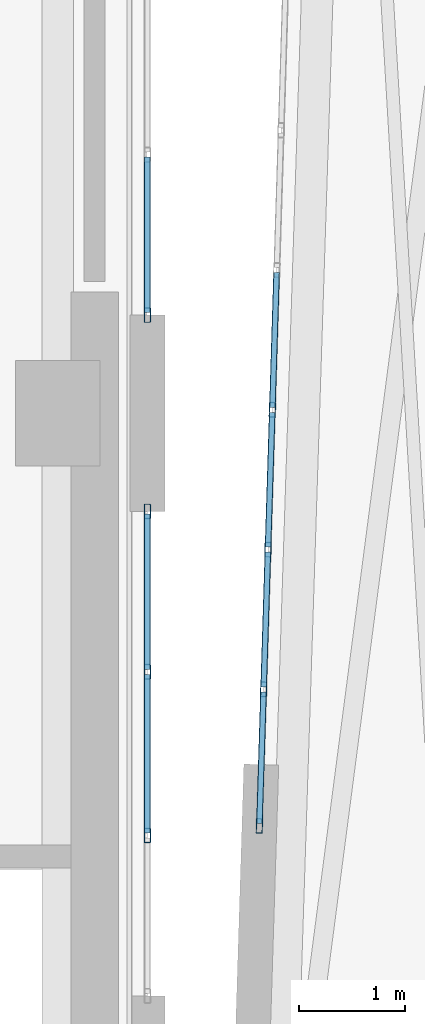
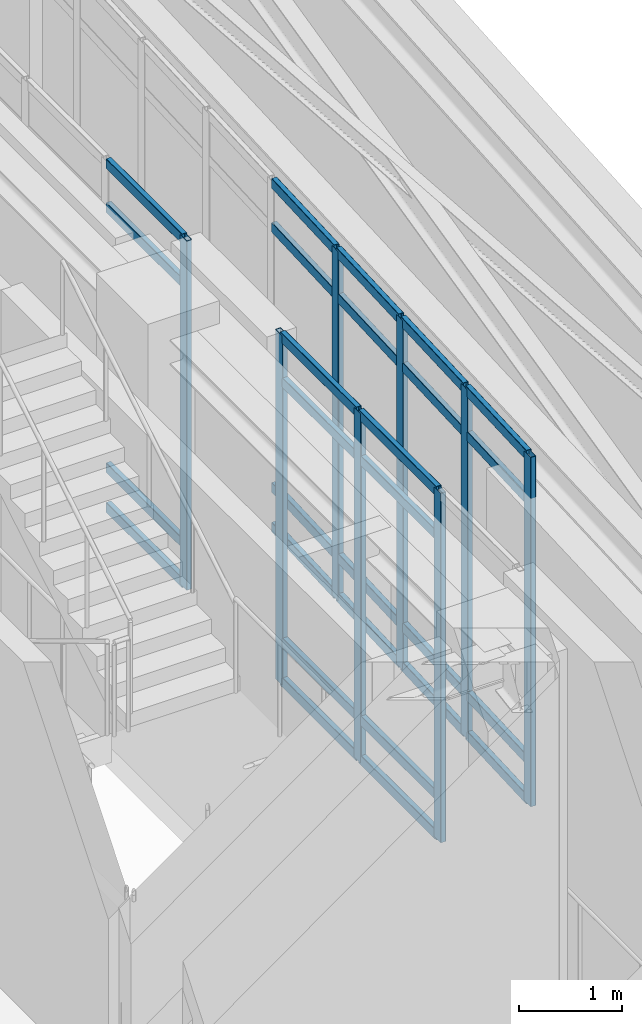
# One storey, part 7 of 19: 36 members, 3 elements without a shape of their own.
"""IFC4 building model written with IfcOpenShell, lengths in metres."""

from ifc_helpers import new_model, si_unit, direction, frame, origin, origin_2d, place, context, subcontext, project, spatial, hollow_rectangle, extrude, material, layer, layer_set, material_profile, profile_set, type_object, element, aggregate, save


model = new_model("IFC4")

# Units and contexts
model_context = context("Model", 3, precision=1e-05, world=origin(), true_north=direction((0.0, 1.0)))
body_context = subcontext(model_context, "Body", "Model", "MODEL_VIEW")
ifc_project = project(units=[si_unit("LENGTHUNIT", "METRE"), si_unit("AREAUNIT", "SQUARE_METRE"), si_unit("VOLUMEUNIT", "CUBIC_METRE"), si_unit("PLANEANGLEUNIT", "RADIAN"), si_unit("MASSUNIT", "GRAM", prefix="KILO")], contexts=[model_context])

# Site, building, storey
site_placement = place(None, origin())
site = spatial("IfcSite", under=ifc_project, at=site_placement, CompositionType="ELEMENT")
building_placement = place(site_placement, origin())
building = spatial("IfcBuilding", under=site, at=building_placement, Name="Ndelora Gate Hotel", CompositionType="ELEMENT")
storey_placement = place(building_placement, frame((0.0, 0.0, 286.0)))
storey = spatial("IfcBuildingStorey", under=building, at=storey_placement, Name="L71", CompositionType="ELEMENT", Elevation=286.0)

# Curtain wall, members
ifc_material_1 = material(Name="Bronze Anodised Unitised Aluminium and Low-E Glass", Category="aluminium")
ifc_layer = layer(ifc_material_1, 0.199951171875)
ifc_layer_set = layer_set([ifc_layer], Name="Bronze Anodised Unitised Aluminium and Low-E Glass")
curtain_wall_type = type_object("IfcCurtainWallType", Name="CW-SYS-8", PredefinedType="NOTDEFINED", material=ifc_layer_set)
curtain_wall_1_placement = place(storey_placement, origin())
curtain_wall_1 = element("IfcCurtainWall", 1, at=curtain_wall_1_placement, inside=storey, type_object=curtain_wall_type, Name="L71 Split-Crown West Cleft Lantern Curtain Wall CW8-1", PredefinedType="NOTDEFINED")
ifc_material_2 = material(Name="Bronze Anodised Aluminium 6063-T6", Category="aluminium")
ifc_material_profile_1 = material_profile(ifc_material_2, hollow_rectangle(XDim=0.06005859375, YDim=0.139892578125, WallThickness=0.00390625, InnerFilletRadius=0.00390625, OuterFilletRadius=0.008056640625, at=origin_2d()), Name="ALU 140x60x4")
ifc_profile_set_1 = profile_set([ifc_material_profile_1], Name="Bronze Anodised Aluminium 6063-T6")
member_type_1 = type_object("IfcMemberType", Name="MB-CW-MUL140", PredefinedType="MULLION", material=ifc_profile_set_1)
member_1_placement = place(storey_placement, frame((8.85009765625, -4.0, -0.00390625), z_axis=(0.0, 0.0, 1.0), x_axis=(-1.0, 0.0, 0.0)))
member_1 = element("IfcMember", 2, at=member_1_placement, type_object=member_type_1, Name="CW8 mullion 2", PredefinedType="MULLION", context=body_context, shape_type="SweptSolid", body=[
    extrude(hollow_rectangle(XDim=0.06005859375, YDim=0.139892578125, WallThickness=0.00390625, InnerFilletRadius=0.00390625, OuterFilletRadius=0.008056640625, at=origin_2d()), origin(), (0.0, 0.0, 1.0), 4.137939453125),
])
member_2_placement = place(storey_placement, frame((8.85009765625, -2.449951171875, -0.00390625), z_axis=(0.0, 0.0, 1.0), x_axis=(-1.0, 0.0, 0.0)))
member_2 = element("IfcMember", 3, at=member_2_placement, type_object=member_type_1, Name="CW8 mullion 3", PredefinedType="MULLION", context=body_context, shape_type="SweptSolid", body=[
    extrude(hollow_rectangle(XDim=0.06005859375, YDim=0.139892578125, WallThickness=0.00390625, InnerFilletRadius=0.00390625, OuterFilletRadius=0.008056640625, at=origin_2d()), origin(), (0.0, 0.0, 1.0), 4.137939453125),
])
member_3_placement = place(storey_placement, frame((8.85009765625, -0.929931640625, -0.00390625), z_axis=(0.0, 0.0, 1.0), x_axis=(-1.0, 0.0, 0.0)))
member_3 = element("IfcMember", 4, at=member_3_placement, type_object=member_type_1, Name="CW8 mullion 4", PredefinedType="MULLION", context=body_context, shape_type="SweptSolid", body=[
    extrude(hollow_rectangle(XDim=0.06005859375, YDim=0.139892578125, WallThickness=0.00390625, InnerFilletRadius=0.00390625, OuterFilletRadius=0.008056640625, at=origin_2d()), origin(), (0.0, 0.0, 1.0), 4.137939453125),
])

# Curtain wall, member
curtain_wall_2_placement = place(storey_placement, origin())
curtain_wall_2 = element("IfcCurtainWall", 5, at=curtain_wall_2_placement, inside=storey, type_object=curtain_wall_type, Name="L71 Split-Crown West Cleft Lantern Curtain Wall CW8-2", PredefinedType="NOTDEFINED")
member_4_placement = place(storey_placement, frame((8.85009765625, 0.929931640625, -0.00390625), z_axis=(0.0, 0.0, 1.0), x_axis=(-1.0, 0.0, 0.0)))
member_4 = element("IfcMember", 6, at=member_4_placement, type_object=member_type_1, Name="CW8 mullion 1", PredefinedType="MULLION", context=body_context, shape_type="SweptSolid", body=[
    extrude(hollow_rectangle(XDim=0.06005859375, YDim=0.139892578125, WallThickness=0.00390625, InnerFilletRadius=0.00390625, OuterFilletRadius=0.008056640625, at=origin_2d()), origin(), (0.0, 0.0, 1.0), 4.137939453125),
])

# Curtain wall, members
curtain_wall_3_placement = place(storey_placement, origin())
curtain_wall_3 = element("IfcCurtainWall", 7, at=curtain_wall_3_placement, inside=storey, type_object=curtain_wall_type, Name="L71 Split-Crown East Cleft Lantern Curtain Wall CW8", PredefinedType="NOTDEFINED")
member_5_placement = place(storey_placement, frame((10.03369140625, 0.0322265625, -0.00390625), z_axis=(0.0, 0.0, 1.0), x_axis=(0.999515302198, -0.031131345484, 0.0)))
member_5 = element("IfcMember", 8, at=member_5_placement, type_object=member_type_1, Name="CW8 mullion 6", PredefinedType="MULLION", context=body_context, shape_type="SweptSolid", body=[
    extrude(hollow_rectangle(XDim=0.06005859375, YDim=0.139892578125, WallThickness=0.00390625, InnerFilletRadius=0.00390625, OuterFilletRadius=0.008056640625, at=origin_2d()), origin(), (0.0, 0.0, 1.0), 4.137939453125),
])
member_6_placement = place(storey_placement, frame((9.992431640625, -1.291748046875, -0.00390625), z_axis=(0.0, 0.0, 1.0), x_axis=(0.999515302198, -0.031131345484, 0.0)))
member_6 = element("IfcMember", 9, at=member_6_placement, type_object=member_type_1, Name="CW8 mullion 7", PredefinedType="MULLION", context=body_context, shape_type="SweptSolid", body=[
    extrude(hollow_rectangle(XDim=0.06005859375, YDim=0.139892578125, WallThickness=0.00390625, InnerFilletRadius=0.00390625, OuterFilletRadius=0.008056640625, at=origin_2d()), origin(), (0.0, 0.0, 1.0), 4.137939453125),
])
member_7_placement = place(storey_placement, frame((9.951171875, -2.61572265625, -0.00390625), z_axis=(0.0, 0.0, 1.0), x_axis=(0.999515302198, -0.031131345484, 0.0)))
member_7 = element("IfcMember", 10, at=member_7_placement, type_object=member_type_1, Name="CW8 mullion 8", PredefinedType="MULLION", context=body_context, shape_type="SweptSolid", body=[
    extrude(hollow_rectangle(XDim=0.06005859375, YDim=0.139892578125, WallThickness=0.00390625, InnerFilletRadius=0.00390625, OuterFilletRadius=0.008056640625, at=origin_2d()), origin(), (0.0, 0.0, 1.0), 4.137939453125),
])
member_8_placement = place(storey_placement, frame((9.910888671875, -3.90966796875, -0.00390625), z_axis=(0.0, 0.0, 1.0), x_axis=(0.999515302198, -0.031131345484, 0.0)))
member_8 = element("IfcMember", 11, at=member_8_placement, type_object=member_type_1, Name="CW8 mullion 9", PredefinedType="MULLION", context=body_context, shape_type="SweptSolid", body=[
    extrude(hollow_rectangle(XDim=0.06005859375, YDim=0.139892578125, WallThickness=0.00390625, InnerFilletRadius=0.00390625, OuterFilletRadius=0.008056640625, at=origin_2d()), origin(), (0.0, 0.0, 1.0), 4.137939453125),
])

# Member
ifc_material_profile_2 = material_profile(ifc_material_2, hollow_rectangle(XDim=0.06005859375, YDim=0.1201171875, WallThickness=0.00390625, InnerFilletRadius=0.00390625, OuterFilletRadius=0.008056640625, at=origin_2d()), Name="ALU 120x60x4")
ifc_profile_set_2 = profile_set([ifc_material_profile_2], Name="Bronze Anodised Aluminium 6063-T6")
member_type_2 = type_object("IfcMemberType", Name="MB-CW-TRN120", PredefinedType="USERDEFINED", material=ifc_profile_set_2)
member_9_placement = place(storey_placement, frame((8.85009765625, -3.97607421875, 0.030029296875), z_axis=(0.0, 1.0, 0.0), x_axis=(-1.0, 0.0, 0.0)))
member_9 = element("IfcMember", 12, at=member_9_placement, type_object=member_type_2, Name="CW8 transom 2.1", ObjectType="TRANSOM", PredefinedType="USERDEFINED", context=body_context, shape_type="SweptSolid", body=[
    extrude(hollow_rectangle(XDim=0.06005859375, YDim=0.1201171875, WallThickness=0.00390625, InnerFilletRadius=0.00390625, OuterFilletRadius=0.008056640625, at=origin_2d()), origin(), (0.0, 0.0, 1.0), 1.501953125),
])

member_10_placement = place(storey_placement, frame((8.85009765625, -3.97607421875, 0.5), z_axis=(0.0, 1.0, 0.0), x_axis=(-1.0, 0.0, 0.0)))
member_10 = element("IfcMember", 13, at=member_10_placement, type_object=member_type_2, Name="CW8 transom 2.2", ObjectType="TRANSOM", PredefinedType="USERDEFINED", context=body_context, shape_type="SweptSolid", body=[
    extrude(hollow_rectangle(XDim=0.06005859375, YDim=0.1201171875, WallThickness=0.00390625, InnerFilletRadius=0.00390625, OuterFilletRadius=0.008056640625, at=origin_2d()), origin(), (0.0, 0.0, 1.0), 1.501953125),
])

member_11_placement = place(storey_placement, frame((8.85009765625, -3.97607421875, 3.580078125), z_axis=(0.0, 1.0, 0.0), x_axis=(-1.0, 0.0, 0.0)))
member_11 = element("IfcMember", 14, at=member_11_placement, type_object=member_type_2, Name="CW8 transom 2.3", ObjectType="TRANSOM", PredefinedType="USERDEFINED", context=body_context, shape_type="SweptSolid", body=[
    extrude(hollow_rectangle(XDim=0.06005859375, YDim=0.1201171875, WallThickness=0.00390625, InnerFilletRadius=0.00390625, OuterFilletRadius=0.008056640625, at=origin_2d()), origin(), (0.0, 0.0, 1.0), 1.501953125),
])

member_12_placement = place(storey_placement, frame((8.85009765625, -3.97607421875, 4.10009765625), z_axis=(0.0, 1.0, 0.0), x_axis=(-1.0, 0.0, 0.0)))
member_12 = element("IfcMember", 15, at=member_12_placement, type_object=member_type_2, Name="CW8 transom 2.4", ObjectType="TRANSOM", PredefinedType="USERDEFINED", context=body_context, shape_type="SweptSolid", body=[
    extrude(hollow_rectangle(XDim=0.06005859375, YDim=0.1201171875, WallThickness=0.00390625, InnerFilletRadius=0.00390625, OuterFilletRadius=0.008056640625, at=origin_2d()), origin(), (0.0, 0.0, 1.0), 1.501953125),
])

member_13_placement = place(storey_placement, frame((8.85009765625, -2.426025390625, 0.030029296875), z_axis=(0.0, 1.0, 0.0), x_axis=(-1.0, 0.0, 0.0)))
member_13 = element("IfcMember", 16, at=member_13_placement, type_object=member_type_2, Name="CW8 transom 3.1", ObjectType="TRANSOM", PredefinedType="USERDEFINED", context=body_context, shape_type="SweptSolid", body=[
    extrude(hollow_rectangle(XDim=0.06005859375, YDim=0.1201171875, WallThickness=0.00390625, InnerFilletRadius=0.00390625, OuterFilletRadius=0.008056640625, at=origin_2d()), origin(), (0.0, 0.0, 1.0), 1.471923828125),
])

member_14_placement = place(storey_placement, frame((8.85009765625, -2.426025390625, 0.5), z_axis=(0.0, 1.0, 0.0), x_axis=(-1.0, 0.0, 0.0)))
member_14 = element("IfcMember", 17, at=member_14_placement, type_object=member_type_2, Name="CW8 transom 3.2", ObjectType="TRANSOM", PredefinedType="USERDEFINED", context=body_context, shape_type="SweptSolid", body=[
    extrude(hollow_rectangle(XDim=0.06005859375, YDim=0.1201171875, WallThickness=0.00390625, InnerFilletRadius=0.00390625, OuterFilletRadius=0.008056640625, at=origin_2d()), origin(), (0.0, 0.0, 1.0), 1.471923828125),
])

member_15_placement = place(storey_placement, frame((8.85009765625, -2.426025390625, 3.580078125), z_axis=(0.0, 1.0, 0.0), x_axis=(-1.0, 0.0, 0.0)))
member_15 = element("IfcMember", 18, at=member_15_placement, type_object=member_type_2, Name="CW8 transom 3.3", ObjectType="TRANSOM", PredefinedType="USERDEFINED", context=body_context, shape_type="SweptSolid", body=[
    extrude(hollow_rectangle(XDim=0.06005859375, YDim=0.1201171875, WallThickness=0.00390625, InnerFilletRadius=0.00390625, OuterFilletRadius=0.008056640625, at=origin_2d()), origin(), (0.0, 0.0, 1.0), 1.471923828125),
])

member_16_placement = place(storey_placement, frame((8.85009765625, -2.426025390625, 4.10009765625), z_axis=(0.0, 1.0, 0.0), x_axis=(-1.0, 0.0, 0.0)))
member_16 = element("IfcMember", 19, at=member_16_placement, type_object=member_type_2, Name="CW8 transom 3.4", ObjectType="TRANSOM", PredefinedType="USERDEFINED", context=body_context, shape_type="SweptSolid", body=[
    extrude(hollow_rectangle(XDim=0.06005859375, YDim=0.1201171875, WallThickness=0.00390625, InnerFilletRadius=0.00390625, OuterFilletRadius=0.008056640625, at=origin_2d()), origin(), (0.0, 0.0, 1.0), 1.471923828125),
])

aggregate(curtain_wall_1, [member_1, member_2, member_3, member_9, member_10, member_11, member_12, member_13, member_14, member_15, member_16])

member_17_placement = place(storey_placement, frame((8.85009765625, 0.9541015625, 0.030029296875), z_axis=(0.0, 1.0, 0.0), x_axis=(-1.0, 0.0, 0.0)))
member_17 = element("IfcMember", 20, at=member_17_placement, type_object=member_type_2, Name="CW8 transom 1.1", ObjectType="TRANSOM", PredefinedType="USERDEFINED", context=body_context, shape_type="SweptSolid", body=[
    extrude(hollow_rectangle(XDim=0.06005859375, YDim=0.1201171875, WallThickness=0.00390625, InnerFilletRadius=0.00390625, OuterFilletRadius=0.008056640625, at=origin_2d()), origin(), (0.0, 0.0, 1.0), 1.471923828125),
])

member_18_placement = place(storey_placement, frame((8.85009765625, 0.9541015625, 0.5), z_axis=(0.0, 1.0, 0.0), x_axis=(-1.0, 0.0, 0.0)))
member_18 = element("IfcMember", 21, at=member_18_placement, type_object=member_type_2, Name="CW8 transom 1.2", ObjectType="TRANSOM", PredefinedType="USERDEFINED", context=body_context, shape_type="SweptSolid", body=[
    extrude(hollow_rectangle(XDim=0.06005859375, YDim=0.1201171875, WallThickness=0.00390625, InnerFilletRadius=0.00390625, OuterFilletRadius=0.008056640625, at=origin_2d()), origin(), (0.0, 0.0, 1.0), 1.471923828125),
])

member_19_placement = place(storey_placement, frame((8.85009765625, 0.9541015625, 3.580078125), z_axis=(0.0, 1.0, 0.0), x_axis=(-1.0, 0.0, 0.0)))
member_19 = element("IfcMember", 22, at=member_19_placement, type_object=member_type_2, Name="CW8 transom 1.3", ObjectType="TRANSOM", PredefinedType="USERDEFINED", context=body_context, shape_type="SweptSolid", body=[
    extrude(hollow_rectangle(XDim=0.06005859375, YDim=0.1201171875, WallThickness=0.00390625, InnerFilletRadius=0.00390625, OuterFilletRadius=0.008056640625, at=origin_2d()), origin(), (0.0, 0.0, 1.0), 1.471923828125),
])

member_20_placement = place(storey_placement, frame((8.85009765625, 0.9541015625, 4.10009765625), z_axis=(0.0, 1.0, 0.0), x_axis=(-1.0, 0.0, 0.0)))
member_20 = element("IfcMember", 23, at=member_20_placement, type_object=member_type_2, Name="CW8 transom 1.4", ObjectType="TRANSOM", PredefinedType="USERDEFINED", context=body_context, shape_type="SweptSolid", body=[
    extrude(hollow_rectangle(XDim=0.06005859375, YDim=0.1201171875, WallThickness=0.00390625, InnerFilletRadius=0.00390625, OuterFilletRadius=0.008056640625, at=origin_2d()), origin(), (0.0, 0.0, 1.0), 1.471923828125),
])

aggregate(curtain_wall_2, [member_4, member_17, member_18, member_19, member_20])

member_21_placement = place(storey_placement, frame((10.07421875, 1.332275390625, 0.030029296875), z_axis=(-0.031169084092, -0.999514126062, 0.0), x_axis=(0.999514126062, -0.031169084092, 0.0)))
member_21 = element("IfcMember", 24, at=member_21_placement, type_object=member_type_2, Name="CW8 transom 5.1", ObjectType="TRANSOM", PredefinedType="USERDEFINED", context=body_context, shape_type="SweptSolid", body=[
    extrude(hollow_rectangle(XDim=0.06005859375, YDim=0.1201171875, WallThickness=0.00390625, InnerFilletRadius=0.00390625, OuterFilletRadius=0.008056640625, at=origin_2d()), origin(), (0.0, 0.0, 1.0), 1.27685546875),
])

member_22_placement = place(storey_placement, frame((10.07421875, 1.332275390625, 0.5), z_axis=(-0.031169084092, -0.999514126062, 0.0), x_axis=(0.999514126062, -0.031169084092, 0.0)))
member_22 = element("IfcMember", 25, at=member_22_placement, type_object=member_type_2, Name="CW8 transom 5.2", ObjectType="TRANSOM", PredefinedType="USERDEFINED", context=body_context, shape_type="SweptSolid", body=[
    extrude(hollow_rectangle(XDim=0.06005859375, YDim=0.1201171875, WallThickness=0.00390625, InnerFilletRadius=0.00390625, OuterFilletRadius=0.008056640625, at=origin_2d()), origin(), (0.0, 0.0, 1.0), 1.27685546875),
])

member_23_placement = place(storey_placement, frame((10.07421875, 1.332275390625, 3.580078125), z_axis=(-0.031169084092, -0.999514126062, 0.0), x_axis=(0.999514126062, -0.031169084092, 0.0)))
member_23 = element("IfcMember", 26, at=member_23_placement, type_object=member_type_2, Name="CW8 transom 5.3", ObjectType="TRANSOM", PredefinedType="USERDEFINED", context=body_context, shape_type="SweptSolid", body=[
    extrude(hollow_rectangle(XDim=0.06005859375, YDim=0.1201171875, WallThickness=0.00390625, InnerFilletRadius=0.00390625, OuterFilletRadius=0.008056640625, at=origin_2d()), origin(), (0.0, 0.0, 1.0), 1.27685546875),
])

member_24_placement = place(storey_placement, frame((10.07421875, 1.332275390625, 4.10009765625), z_axis=(-0.031169084092, -0.999514126062, 0.0), x_axis=(0.999514126062, -0.031169084092, 0.0)))
member_24 = element("IfcMember", 27, at=member_24_placement, type_object=member_type_2, Name="CW8 transom 5.4", ObjectType="TRANSOM", PredefinedType="USERDEFINED", context=body_context, shape_type="SweptSolid", body=[
    extrude(hollow_rectangle(XDim=0.06005859375, YDim=0.1201171875, WallThickness=0.00390625, InnerFilletRadius=0.00390625, OuterFilletRadius=0.008056640625, at=origin_2d()), origin(), (0.0, 0.0, 1.0), 1.27685546875),
])

member_25_placement = place(storey_placement, frame((10.032958984375, 0.00830078125, 0.030029296875), z_axis=(-0.031169084092, -0.999514126062, 0.0), x_axis=(0.999514126062, -0.031169084092, 0.0)))
member_25 = element("IfcMember", 28, at=member_25_placement, type_object=member_type_2, Name="CW8 transom 6.1", ObjectType="TRANSOM", PredefinedType="USERDEFINED", context=body_context, shape_type="SweptSolid", body=[
    extrude(hollow_rectangle(XDim=0.06005859375, YDim=0.1201171875, WallThickness=0.00390625, InnerFilletRadius=0.00390625, OuterFilletRadius=0.008056640625, at=origin_2d()), origin(), (0.0, 0.0, 1.0), 1.27685546875),
])

member_26_placement = place(storey_placement, frame((10.032958984375, 0.00830078125, 0.5), z_axis=(-0.031169084092, -0.999514126062, 0.0), x_axis=(0.999514126062, -0.031169084092, 0.0)))
member_26 = element("IfcMember", 29, at=member_26_placement, type_object=member_type_2, Name="CW8 transom 6.2", ObjectType="TRANSOM", PredefinedType="USERDEFINED", context=body_context, shape_type="SweptSolid", body=[
    extrude(hollow_rectangle(XDim=0.06005859375, YDim=0.1201171875, WallThickness=0.00390625, InnerFilletRadius=0.00390625, OuterFilletRadius=0.008056640625, at=origin_2d()), origin(), (0.0, 0.0, 1.0), 1.27685546875),
])

member_27_placement = place(storey_placement, frame((10.032958984375, 0.00830078125, 3.580078125), z_axis=(-0.031169084092, -0.999514126062, 0.0), x_axis=(0.999514126062, -0.031169084092, 0.0)))
member_27 = element("IfcMember", 30, at=member_27_placement, type_object=member_type_2, Name="CW8 transom 6.3", ObjectType="TRANSOM", PredefinedType="USERDEFINED", context=body_context, shape_type="SweptSolid", body=[
    extrude(hollow_rectangle(XDim=0.06005859375, YDim=0.1201171875, WallThickness=0.00390625, InnerFilletRadius=0.00390625, OuterFilletRadius=0.008056640625, at=origin_2d()), origin(), (0.0, 0.0, 1.0), 1.27685546875),
])

member_28_placement = place(storey_placement, frame((10.032958984375, 0.00830078125, 4.10009765625), z_axis=(-0.031169084092, -0.999514126062, 0.0), x_axis=(0.999514126062, -0.031169084092, 0.0)))
member_28 = element("IfcMember", 31, at=member_28_placement, type_object=member_type_2, Name="CW8 transom 6.4", ObjectType="TRANSOM", PredefinedType="USERDEFINED", context=body_context, shape_type="SweptSolid", body=[
    extrude(hollow_rectangle(XDim=0.06005859375, YDim=0.1201171875, WallThickness=0.00390625, InnerFilletRadius=0.00390625, OuterFilletRadius=0.008056640625, at=origin_2d()), origin(), (0.0, 0.0, 1.0), 1.27685546875),
])

member_29_placement = place(storey_placement, frame((9.99169921875, -1.315673828125, 0.030029296875), z_axis=(-0.031169084092, -0.999514126062, 0.0), x_axis=(0.999514126062, -0.031169084092, 0.0)))
member_29 = element("IfcMember", 32, at=member_29_placement, type_object=member_type_2, Name="CW8 transom 7.1", ObjectType="TRANSOM", PredefinedType="USERDEFINED", context=body_context, shape_type="SweptSolid", body=[
    extrude(hollow_rectangle(XDim=0.06005859375, YDim=0.1201171875, WallThickness=0.00390625, InnerFilletRadius=0.00390625, OuterFilletRadius=0.008056640625, at=origin_2d()), origin(), (0.0, 0.0, 1.0), 1.27685546875),
])

member_30_placement = place(storey_placement, frame((9.99169921875, -1.315673828125, 0.5), z_axis=(-0.031169084092, -0.999514126062, 0.0), x_axis=(0.999514126062, -0.031169084092, 0.0)))
member_30 = element("IfcMember", 33, at=member_30_placement, type_object=member_type_2, Name="CW8 transom 7.2", ObjectType="TRANSOM", PredefinedType="USERDEFINED", context=body_context, shape_type="SweptSolid", body=[
    extrude(hollow_rectangle(XDim=0.06005859375, YDim=0.1201171875, WallThickness=0.00390625, InnerFilletRadius=0.00390625, OuterFilletRadius=0.008056640625, at=origin_2d()), origin(), (0.0, 0.0, 1.0), 1.27685546875),
])

member_31_placement = place(storey_placement, frame((9.99169921875, -1.315673828125, 3.580078125), z_axis=(-0.031169084092, -0.999514126062, 0.0), x_axis=(0.999514126062, -0.031169084092, 0.0)))
member_31 = element("IfcMember", 34, at=member_31_placement, type_object=member_type_2, Name="CW8 transom 7.3", ObjectType="TRANSOM", PredefinedType="USERDEFINED", context=body_context, shape_type="SweptSolid", body=[
    extrude(hollow_rectangle(XDim=0.06005859375, YDim=0.1201171875, WallThickness=0.00390625, InnerFilletRadius=0.00390625, OuterFilletRadius=0.008056640625, at=origin_2d()), origin(), (0.0, 0.0, 1.0), 1.27685546875),
])

member_32_placement = place(storey_placement, frame((9.99169921875, -1.315673828125, 4.10009765625), z_axis=(-0.031169084092, -0.999514126062, 0.0), x_axis=(0.999514126062, -0.031169084092, 0.0)))
member_32 = element("IfcMember", 35, at=member_32_placement, type_object=member_type_2, Name="CW8 transom 7.4", ObjectType="TRANSOM", PredefinedType="USERDEFINED", context=body_context, shape_type="SweptSolid", body=[
    extrude(hollow_rectangle(XDim=0.06005859375, YDim=0.1201171875, WallThickness=0.00390625, InnerFilletRadius=0.00390625, OuterFilletRadius=0.008056640625, at=origin_2d()), origin(), (0.0, 0.0, 1.0), 1.27685546875),
])

member_33_placement = place(storey_placement, frame((9.950439453125, -2.6396484375, 0.030029296875), z_axis=(-0.031136932872, -0.999515128155, 0.0), x_axis=(0.999515128155, -0.031136932872, 0.0)))
member_33 = element("IfcMember", 36, at=member_33_placement, type_object=member_type_2, Name="CW8 transom 8.1", ObjectType="TRANSOM", PredefinedType="USERDEFINED", context=body_context, shape_type="SweptSolid", body=[
    extrude(hollow_rectangle(XDim=0.06005859375, YDim=0.1201171875, WallThickness=0.00390625, InnerFilletRadius=0.00390625, OuterFilletRadius=0.008056640625, at=origin_2d()), origin(), (0.0, 0.0, 1.0), 1.24658203125),
])

member_34_placement = place(storey_placement, frame((9.950439453125, -2.6396484375, 0.5), z_axis=(-0.031136932872, -0.999515128155, 0.0), x_axis=(0.999515128155, -0.031136932872, 0.0)))
member_34 = element("IfcMember", 37, at=member_34_placement, type_object=member_type_2, Name="CW8 transom 8.2", ObjectType="TRANSOM", PredefinedType="USERDEFINED", context=body_context, shape_type="SweptSolid", body=[
    extrude(hollow_rectangle(XDim=0.06005859375, YDim=0.1201171875, WallThickness=0.00390625, InnerFilletRadius=0.00390625, OuterFilletRadius=0.008056640625, at=origin_2d()), origin(), (0.0, 0.0, 1.0), 1.24658203125),
])

member_35_placement = place(storey_placement, frame((9.950439453125, -2.6396484375, 3.580078125), z_axis=(-0.031136932872, -0.999515128155, 0.0), x_axis=(0.999515128155, -0.031136932872, 0.0)))
member_35 = element("IfcMember", 38, at=member_35_placement, type_object=member_type_2, Name="CW8 transom 8.3", ObjectType="TRANSOM", PredefinedType="USERDEFINED", context=body_context, shape_type="SweptSolid", body=[
    extrude(hollow_rectangle(XDim=0.06005859375, YDim=0.1201171875, WallThickness=0.00390625, InnerFilletRadius=0.00390625, OuterFilletRadius=0.008056640625, at=origin_2d()), origin(), (0.0, 0.0, 1.0), 1.24658203125),
])

member_36_placement = place(storey_placement, frame((9.950439453125, -2.6396484375, 4.10009765625), z_axis=(-0.031136932872, -0.999515128155, 0.0), x_axis=(0.999515128155, -0.031136932872, 0.0)))
member_36 = element("IfcMember", 39, at=member_36_placement, type_object=member_type_2, Name="CW8 transom 8.4", ObjectType="TRANSOM", PredefinedType="USERDEFINED", context=body_context, shape_type="SweptSolid", body=[
    extrude(hollow_rectangle(XDim=0.06005859375, YDim=0.1201171875, WallThickness=0.00390625, InnerFilletRadius=0.00390625, OuterFilletRadius=0.008056640625, at=origin_2d()), origin(), (0.0, 0.0, 1.0), 1.24658203125),
])

aggregate(curtain_wall_3, [member_5, member_6, member_7, member_8, member_21, member_22, member_23, member_24, member_25, member_26, member_27, member_28, member_29, member_30, member_31, member_32, member_33, member_34, member_35, member_36])

save(model, "model.ifc")
